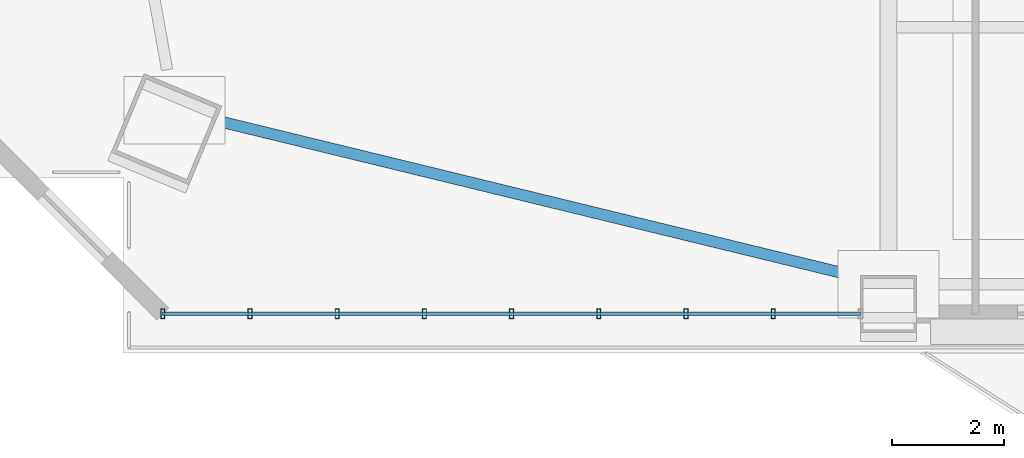
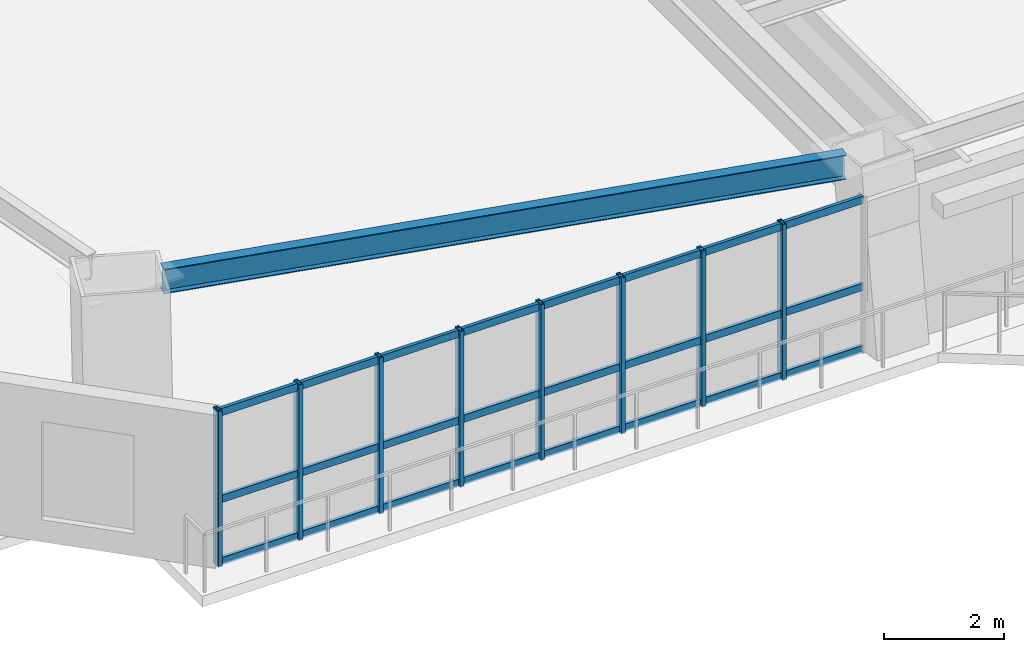
# One storey, part 2 of 18: 11 members, 1 beam, 1 element without a shape of its own.
"""IFC4 building model written with IfcOpenShell, lengths in metres."""

from ifc_helpers import new_model, si_unit, direction, frame, origin, origin_2d, place, context, subcontext, project, spatial, hollow_rectangle, i_section, extrude, source, transform, mapped, material, layer, layer_set, material_profile, profile_set, type_object, element, aggregate, save


model = new_model("IFC4")

# Units and contexts
model_context = context("Model", 3, precision=1e-05, world=origin(), true_north=direction((0.0, 1.0)))
body_context = subcontext(model_context, "Body", "Model", "MODEL_VIEW")
ifc_project = project(units=[si_unit("LENGTHUNIT", "METRE"), si_unit("AREAUNIT", "SQUARE_METRE"), si_unit("VOLUMEUNIT", "CUBIC_METRE"), si_unit("PLANEANGLEUNIT", "RADIAN"), si_unit("MASSUNIT", "GRAM", prefix="KILO")], contexts=[model_context])

# Site, building, storey
site_placement = place(None, origin())
site = spatial("IfcSite", under=ifc_project, at=site_placement, CompositionType="ELEMENT")
building_placement = place(site_placement, origin())
building = spatial("IfcBuilding", under=site, at=building_placement, Name="Giltprow Tower", CompositionType="ELEMENT")
storey_placement = place(building_placement, frame((0.0, 0.0, 68.89990234375)))
storey = spatial("IfcBuildingStorey", under=building, at=storey_placement, Name="L17", CompositionType="ELEMENT", Elevation=68.89990234375)

# Beam
ifc_material_1 = material(Name="Structural steel Q355B", Category="steel")
ifc_material_profile_1 = material_profile(ifc_material_1, i_section(OverallWidth=0.199951171875, OverallDepth=0.5, WebThickness=0.010009765625, FlangeThickness=0.01611328125, at=origin_2d()), Name="HN 500x200x10x16")
ifc_profile_set_1 = profile_set([ifc_material_profile_1], Name="Structural steel Q355B")
beam_type = type_object("IfcBeamType", Name="BM-SPAN-HN500", PredefinedType="SPANDREL", material=ifc_profile_set_1)
shared_shape_1 = source(origin(), body_context, "Body", "SweptSolid", [
    extrude(i_section(OverallWidth=0.199951171875, OverallDepth=0.5, WebThickness=0.010009765625, FlangeThickness=0.01611328125, at=origin_2d()), origin(), (0.0, 0.0, 1.0), 11.86572265625),
])
beam_placement = place(storey_placement, frame((7.85009765625, 8.3310546875, 3.39013671875), z_axis=(0.971612917486, -0.236576284894, 0.0), x_axis=(0.236576284894, 0.971612917486, 0.0)))
element("IfcBeam", 1, at=beam_placement, inside=storey, type_object=beam_type, Name="L17 Perimeter Spandrel Beam MC_SW-S1", PredefinedType="SPANDREL", context=body_context, shape_type="MappedRepresentation", body=[
    mapped(shared_shape_1, transform((0.0, 0.0, 0.0), x_axis=(1.0, 0.0, 0.0), y_axis=(0.0, 1.0, 0.0), z_axis=(0.0, 0.0, 1.0), scale=1.0)),
])

# Curtain wall, members
ifc_material_2 = material(Name="Anodized bronze", Category="metal")
ifc_layer = layer(ifc_material_2, 0.179931640625, Name="Anodized bronze")
ifc_layer_set = layer_set([ifc_layer], Name="Anodized bronze")
curtain_wall_type = type_object("IfcCurtainWallType", Name="CW-OFF-RECESSED", PredefinedType="NOTDEFINED", material=ifc_layer_set)
curtain_wall_placement = place(storey_placement, origin())
curtain_wall = element("IfcCurtainWall", 2, at=curtain_wall_placement, inside=storey, type_object=curtain_wall_type, Name="L17 South Recessed Curtain Wall 1", PredefinedType="NOTDEFINED")
ifc_material_profile_2 = material_profile(ifc_material_2, hollow_rectangle(XDim=0.06494140625, YDim=0.14990234375, WallThickness=0.006103515625, at=origin_2d()), Name="RHS 150x65x6")
ifc_profile_set_2 = profile_set([ifc_material_profile_2], Name="Anodized bronze")
member_type_1 = type_object("IfcMemberType", Name="CW-TRANSOM-150x65", PredefinedType="USERDEFINED", material=ifc_profile_set_2)
shared_shape_2 = source(origin(), body_context, "Body", "SweptSolid", [
    extrude(hollow_rectangle(XDim=0.06494140625, YDim=0.14990234375, WallThickness=0.006103515625, at=origin_2d()), origin(), (0.0, 0.0, 1.0), 12.423095703125),
])
member_1_placement = place(storey_placement, frame((6.927001953125, 4.882080078125, 0.0400390625), z_axis=(1.0, 0.0, 0.0), x_axis=(0.0, 1.0, 0.0)))
member_1 = element("IfcMember", 3, at=member_1_placement, type_object=member_type_1, Name="L17 South Recessed Curtain Wall 1 Transom 1", ObjectType="TRANSOM", PredefinedType="USERDEFINED", context=body_context, shape_type="MappedRepresentation", body=[
    mapped(shared_shape_2, transform((0.0, 0.0, 0.0), x_axis=(1.0, 0.0, 0.0), y_axis=(0.0, 1.0, 0.0), z_axis=(0.0, 0.0, 1.0), scale=1.0)),
])
member_2_placement = place(storey_placement, frame((6.927001953125, 4.882080078125, 1.31005859375), z_axis=(1.0, 0.0, 0.0), x_axis=(0.0, 1.0, 0.0)))
member_2 = element("IfcMember", 4, at=member_2_placement, type_object=member_type_1, Name="L17 South Recessed Curtain Wall 1 Transom 2", ObjectType="TRANSOM", PredefinedType="USERDEFINED", context=body_context, shape_type="MappedRepresentation", body=[
    mapped(shared_shape_2, transform((0.0, 0.0, 0.0), x_axis=(1.0, 0.0, 0.0), y_axis=(0.0, 1.0, 0.0), z_axis=(0.0, 0.0, 1.0), scale=1.0)),
])
member_3_placement = place(storey_placement, frame((6.927001953125, 4.882080078125, 3.080078125), z_axis=(1.0, 0.0, 0.0), x_axis=(0.0, 1.0, 0.0)))
member_3 = element("IfcMember", 5, at=member_3_placement, type_object=member_type_1, Name="L17 South Recessed Curtain Wall 1 Transom 3", ObjectType="TRANSOM", PredefinedType="USERDEFINED", context=body_context, shape_type="MappedRepresentation", body=[
    mapped(shared_shape_2, transform((0.0, 0.0, 0.0), x_axis=(1.0, 0.0, 0.0), y_axis=(0.0, 1.0, 0.0), z_axis=(0.0, 0.0, 1.0), scale=1.0)),
])
ifc_material_profile_3 = material_profile(ifc_material_2, hollow_rectangle(XDim=0.074951171875, YDim=0.179931640625, WallThickness=0.008056640625, at=origin_2d()), Name="RHS 180x75x8")
ifc_profile_set_3 = profile_set([ifc_material_profile_3], Name="Anodized bronze")
member_type_2 = type_object("IfcMemberType", Name="CW-MULLION-180x75", PredefinedType="MULLION", material=ifc_profile_set_3)
shared_shape_3 = source(origin(), body_context, "Body", "SweptSolid", [
    extrude(hollow_rectangle(XDim=0.074951171875, YDim=0.179931640625, WallThickness=0.008056640625, at=origin_2d()), origin(), (0.0, 0.0, 1.0), 3.175048828125),
])
member_4_placement = place(storey_placement, frame((6.927001953125, 4.882080078125, -0.02001953125), z_axis=(0.0, 0.0, 1.0), x_axis=(1.0, 0.0, 0.0)))
member_4 = element("IfcMember", 6, at=member_4_placement, type_object=member_type_2, Name="L17 South Recessed Curtain Wall 1 Mullion 1", PredefinedType="MULLION", context=body_context, shape_type="MappedRepresentation", body=[
    mapped(shared_shape_3, transform((0.0, 0.0, 0.0), x_axis=(1.0, 0.0, 0.0), y_axis=(0.0, 1.0, 0.0), z_axis=(0.0, 0.0, 1.0), scale=1.0)),
])
member_5_placement = place(storey_placement, frame((8.47998046875, 4.882080078125, -0.02001953125), z_axis=(0.0, 0.0, 1.0), x_axis=(1.0, 0.0, 0.0)))
member_5 = element("IfcMember", 7, at=member_5_placement, type_object=member_type_2, Name="L17 South Recessed Curtain Wall 1 Mullion 2", PredefinedType="MULLION", context=body_context, shape_type="MappedRepresentation", body=[
    mapped(shared_shape_3, transform((0.0, 0.0, 0.0), x_axis=(1.0, 0.0, 0.0), y_axis=(0.0, 1.0, 0.0), z_axis=(0.0, 0.0, 1.0), scale=1.0)),
])
member_6_placement = place(storey_placement, frame((10.032958984375, 4.882080078125, -0.02001953125), z_axis=(0.0, 0.0, 1.0), x_axis=(1.0, 0.0, 0.0)))
member_6 = element("IfcMember", 8, at=member_6_placement, type_object=member_type_2, Name="L17 South Recessed Curtain Wall 1 Mullion 3", PredefinedType="MULLION", context=body_context, shape_type="MappedRepresentation", body=[
    mapped(shared_shape_3, transform((0.0, 0.0, 0.0), x_axis=(1.0, 0.0, 0.0), y_axis=(0.0, 1.0, 0.0), z_axis=(0.0, 0.0, 1.0), scale=1.0)),
])
member_7_placement = place(storey_placement, frame((11.5859375, 4.882080078125, -0.02001953125), z_axis=(0.0, 0.0, 1.0), x_axis=(1.0, 0.0, 0.0)))
member_7 = element("IfcMember", 9, at=member_7_placement, type_object=member_type_2, Name="L17 South Recessed Curtain Wall 1 Mullion 4", PredefinedType="MULLION", context=body_context, shape_type="MappedRepresentation", body=[
    mapped(shared_shape_3, transform((0.0, 0.0, 0.0), x_axis=(1.0, 0.0, 0.0), y_axis=(0.0, 1.0, 0.0), z_axis=(0.0, 0.0, 1.0), scale=1.0)),
])
member_8_placement = place(storey_placement, frame((13.138916015625, 4.882080078125, -0.02001953125), z_axis=(0.0, 0.0, 1.0), x_axis=(1.0, 0.0, 0.0)))
member_8 = element("IfcMember", 10, at=member_8_placement, type_object=member_type_2, Name="L17 South Recessed Curtain Wall 1 Mullion 5", PredefinedType="MULLION", context=body_context, shape_type="MappedRepresentation", body=[
    mapped(shared_shape_3, transform((0.0, 0.0, 0.0), x_axis=(1.0, 0.0, 0.0), y_axis=(0.0, 1.0, 0.0), z_axis=(0.0, 0.0, 1.0), scale=1.0)),
])
member_9_placement = place(storey_placement, frame((14.69091796875, 4.882080078125, -0.02001953125), z_axis=(0.0, 0.0, 1.0), x_axis=(1.0, 0.0, 0.0)))
member_9 = element("IfcMember", 11, at=member_9_placement, type_object=member_type_2, Name="L17 South Recessed Curtain Wall 1 Mullion 6", PredefinedType="MULLION", context=body_context, shape_type="MappedRepresentation", body=[
    mapped(shared_shape_3, transform((0.0, 0.0, 0.0), x_axis=(1.0, 0.0, 0.0), y_axis=(0.0, 1.0, 0.0), z_axis=(0.0, 0.0, 1.0), scale=1.0)),
])
member_10_placement = place(storey_placement, frame((16.243896484375, 4.882080078125, -0.02001953125), z_axis=(0.0, 0.0, 1.0), x_axis=(1.0, 0.0, 0.0)))
member_10 = element("IfcMember", 12, at=member_10_placement, type_object=member_type_2, Name="L17 South Recessed Curtain Wall 1 Mullion 7", PredefinedType="MULLION", context=body_context, shape_type="MappedRepresentation", body=[
    mapped(shared_shape_3, transform((0.0, 0.0, 0.0), x_axis=(1.0, 0.0, 0.0), y_axis=(0.0, 1.0, 0.0), z_axis=(0.0, 0.0, 1.0), scale=1.0)),
])
member_11_placement = place(storey_placement, frame((17.797119140625, 4.882080078125, -0.02001953125), z_axis=(0.0, 0.0, 1.0), x_axis=(1.0, 0.0, 0.0)))
member_11 = element("IfcMember", 13, at=member_11_placement, type_object=member_type_2, Name="L17 South Recessed Curtain Wall 1 Mullion 8", PredefinedType="MULLION", context=body_context, shape_type="MappedRepresentation", body=[
    mapped(shared_shape_3, transform((0.0, 0.0, 0.0), x_axis=(1.0, 0.0, 0.0), y_axis=(0.0, 1.0, 0.0), z_axis=(0.0, 0.0, 1.0), scale=1.0)),
])
aggregate(curtain_wall, [member_4, member_5, member_6, member_7, member_8, member_9, member_10, member_11, member_1, member_2, member_3])

save(model, "model.ifc")
